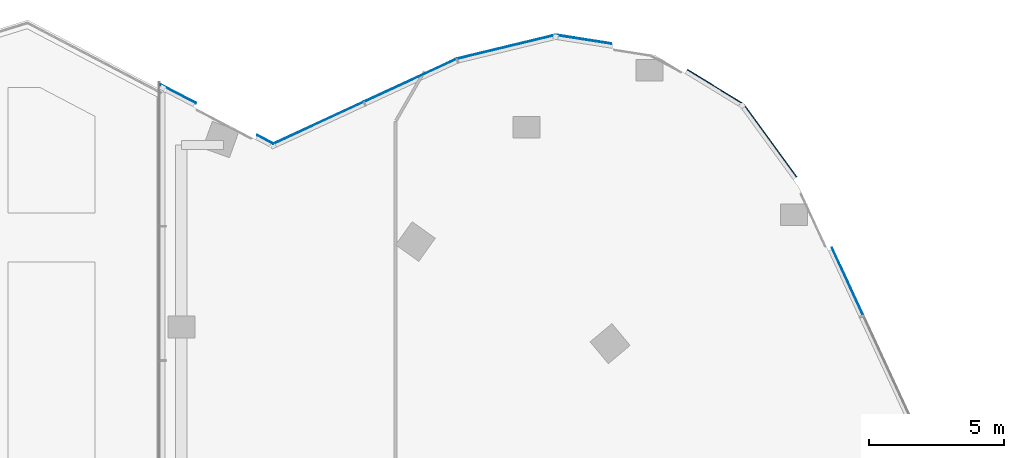
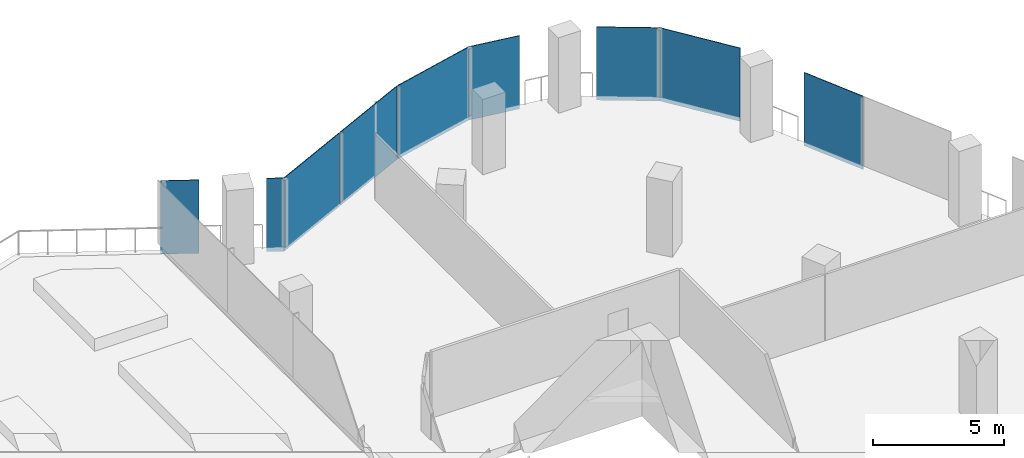
# One storey, part 18 of 26: 9 plates, 7 elements without a shape of their own.
"""IFC4 building model written with IfcOpenShell, lengths in metres."""

from ifc_helpers import new_model, si_unit, direction, frame, origin, origin_2d, place, context, subcontext, project, spatial, rectangle, extrude, material, layer, layer_set, type_object, element, aggregate, save


model = new_model("IFC4")

# Units and contexts
model_context = context("Model", 3, precision=1e-05, world=origin(), true_north=direction((0.0, 1.0)))
body_context = subcontext(model_context, "Body", "Model", "MODEL_VIEW")
ifc_project = project(units=[si_unit("LENGTHUNIT", "METRE"), si_unit("AREAUNIT", "SQUARE_METRE"), si_unit("VOLUMEUNIT", "CUBIC_METRE"), si_unit("PLANEANGLEUNIT", "RADIAN"), si_unit("MASSUNIT", "GRAM", prefix="KILO")], contexts=[model_context])

# Site, building, storey
site_placement = place(None, origin())
site = spatial("IfcSite", under=ifc_project, at=site_placement, CompositionType="ELEMENT")
building_placement = place(site_placement, origin())
building = spatial("IfcBuilding", under=site, at=building_placement, Name="Orlundy Tower", CompositionType="ELEMENT")
storey_placement = place(building_placement, frame((0.0, 0.0, 253.5)))
storey = spatial("IfcBuildingStorey", under=building, at=storey_placement, Name="L67", CompositionType="ELEMENT", Elevation=253.5)

# Curtain wall, plates
ifc_material_1 = material(Name="Aluminium bronze anodised", Category="aluminium")
curtain_wall_type = type_object("IfcCurtainWallType", Name="CW1 wall", PredefinedType="NOTDEFINED", material=ifc_material_1)
curtain_wall_1_placement = place(storey_placement, origin())
curtain_wall_1 = element("IfcCurtainWall", 1, at=curtain_wall_1_placement, inside=storey, type_object=curtain_wall_type, Name="CW1 run 10", PredefinedType="NOTDEFINED")
ifc_material_2 = material(Name="Tinted glass", Category="glass")
ifc_layer = layer(ifc_material_2, 0.031982421875)
ifc_layer_set = layer_set([ifc_layer], Name="CW1 glass panel 32")
plate_type = type_object("IfcPlateType", Name="CW1 glass panel 32", PredefinedType="CURTAIN_PANEL", material=ifc_layer_set)
plate_1_placement = place(storey_placement, frame((13.65625, 28.538330078125, -0.300048828125), z_axis=(0.0, 0.0, 1.0), x_axis=(0.907535327513, 0.419975748486, 0.0)))
plate_1 = element("IfcPlate", 2, at=plate_1_placement, type_object=plate_type, Name="CW1 panel", PredefinedType="CURTAIN_PANEL", context=body_context, shape_type="SweptSolid", body=[
    extrude(rectangle(XDim=3.659912109375, YDim=0.031982421875, at=origin_2d()), origin(), (0.0, 0.0, 1.0), 3.39990234375),
])
plate_2_placement = place(storey_placement, frame((17.0556640625, 30.111328125, -0.300048828125), z_axis=(0.0, 0.0, 1.0), x_axis=(0.907535327513, 0.419975748486, 0.0)))
plate_2 = element("IfcPlate", 3, at=plate_2_placement, type_object=plate_type, Name="CW1 panel", PredefinedType="CURTAIN_PANEL", context=body_context, shape_type="SweptSolid", body=[
    extrude(rectangle(XDim=3.731689453125, YDim=0.031982421875, at=origin_2d()), origin(), (0.0, 0.0, 1.0), 3.39990234375),
])
aggregate(curtain_wall_1, [plate_1, plate_2])

# Curtain wall, plate
curtain_wall_2_placement = place(storey_placement, origin())
curtain_wall_2 = element("IfcCurtainWall", 4, at=curtain_wall_2_placement, inside=storey, type_object=curtain_wall_type, Name="CW1 run 11", PredefinedType="NOTDEFINED")
plate_3_placement = place(storey_placement, frame((20.609130859375, 31.349853515625, -0.300048828125), z_axis=(0.0, 0.0, 1.0), x_axis=(0.972001521614, 0.234974556025, 0.0)))
plate_3 = element("IfcPlate", 5, at=plate_3_placement, type_object=plate_type, Name="CW1 panel", PredefinedType="CURTAIN_PANEL", context=body_context, shape_type="SweptSolid", body=[
    extrude(rectangle(XDim=3.73046875, YDim=0.031982421875, at=origin_2d()), origin(), (0.0, 0.0, 1.0), 3.39990234375),
])
aggregate(curtain_wall_2, [plate_3])

curtain_wall_3_placement = place(storey_placement, origin())
curtain_wall_3 = element("IfcCurtainWall", 6, at=curtain_wall_3_placement, inside=storey, type_object=curtain_wall_type, Name="CW1 run 12", PredefinedType="NOTDEFINED")
plate_4_placement = place(storey_placement, frame((23.449462890625, 31.626708984375, -0.300048828125), z_axis=(0.0, 0.0, 1.0), x_axis=(0.987896030416, -0.15511748157, 0.0)))
plate_4 = element("IfcPlate", 7, at=plate_4_placement, type_object=plate_type, Name="CW1 panel", PredefinedType="CURTAIN_PANEL", context=body_context, shape_type="SweptSolid", body=[
    extrude(rectangle(XDim=2.07958984375, YDim=0.031982421875, at=origin_2d()), origin(), (0.0, 0.0, 1.0), 3.39990234375),
])
aggregate(curtain_wall_3, [plate_4])

curtain_wall_4_placement = place(storey_placement, origin())
curtain_wall_4 = element("IfcCurtainWall", 8, at=curtain_wall_4_placement, inside=storey, type_object=curtain_wall_type, Name="CW1 run 13", PredefinedType="NOTDEFINED")
plate_5_placement = place(storey_placement, frame((28.330810546875, 29.870361328125, -0.300048828125), z_axis=(0.0, 0.0, 1.0), x_axis=(0.853468477843, -0.521144468768, 0.0)))
plate_5 = element("IfcPlate", 9, at=plate_5_placement, type_object=plate_type, Name="CW1 panel", PredefinedType="CURTAIN_PANEL", context=body_context, shape_type="SweptSolid", body=[
    extrude(rectangle(XDim=2.43115234375, YDim=0.031982421875, at=origin_2d()), origin(), (0.0, 0.0, 1.0), 3.39990234375),
])
aggregate(curtain_wall_4, [plate_5])

curtain_wall_5_placement = place(storey_placement, origin())
curtain_wall_5 = element("IfcCurtainWall", 10, at=curtain_wall_5_placement, inside=storey, type_object=curtain_wall_type, Name="CW1 run 14", PredefinedType="NOTDEFINED")
plate_6_placement = place(storey_placement, frame((30.34912109375, 27.890625, -0.300048828125), z_axis=(0.0, 0.0, 1.0), x_axis=(0.588893262489, -0.80821081742, 0.0)))
plate_6 = element("IfcPlate", 11, at=plate_6_placement, type_object=plate_type, Name="CW1 panel", PredefinedType="CURTAIN_PANEL", context=body_context, shape_type="SweptSolid", body=[
    extrude(rectangle(XDim=3.331298828125, YDim=0.031982421875, at=origin_2d()), origin(), (0.0, 0.0, 1.0), 3.39990234375),
])
aggregate(curtain_wall_5, [plate_6])

curtain_wall_6_placement = place(storey_placement, origin())
curtain_wall_6 = element("IfcCurtainWall", 12, at=curtain_wall_6_placement, inside=storey, type_object=curtain_wall_type, Name="CW1 run 15", PredefinedType="NOTDEFINED")
plate_7_placement = place(storey_placement, frame((33.207275390625, 22.68505859375, -0.300048828125), z_axis=(0.0, 0.0, 1.0), x_axis=(0.419960892154, -0.907542202358, 0.0)))
plate_7 = element("IfcPlate", 13, at=plate_7_placement, type_object=plate_type, Name="CW1 panel", PredefinedType="CURTAIN_PANEL", context=body_context, shape_type="SweptSolid", body=[
    extrude(rectangle(XDim=2.732666015625, YDim=0.031982421875, at=origin_2d()), origin(), (0.0, 0.0, 1.0), 3.39990234375),
])
aggregate(curtain_wall_6, [plate_7])

# Curtain wall, plates
curtain_wall_7_placement = place(storey_placement, origin())
curtain_wall_7 = element("IfcCurtainWall", 14, at=curtain_wall_7_placement, inside=storey, type_object=curtain_wall_type, Name="CW1 run 119", PredefinedType="NOTDEFINED")
plate_8_placement = place(storey_placement, frame((8.48583984375, 29.609375, -0.300048828125), z_axis=(0.0, 0.0, 1.0), x_axis=(0.885696843305, -0.464264043147, 0.0)))
plate_8 = element("IfcPlate", 15, at=plate_8_placement, type_object=plate_type, Name="CW1 panel", PredefinedType="CURTAIN_PANEL", context=body_context, shape_type="SweptSolid", body=[
    extrude(rectangle(XDim=1.467529296875, YDim=0.031982421875, at=origin_2d()), origin(), (0.0, 0.0, 1.0), 3.39990234375),
])
plate_9_placement = place(storey_placement, frame((11.69873046875, 27.92529296875, -0.300048828125), z_axis=(0.0, 0.0, 1.0), x_axis=(0.885696843305, -0.464264043147, 0.0)))
plate_9 = element("IfcPlate", 16, at=plate_9_placement, type_object=plate_type, Name="CW1 panel", PredefinedType="CURTAIN_PANEL", context=body_context, shape_type="SweptSolid", body=[
    extrude(rectangle(XDim=0.67041015625, YDim=0.031982421875, at=origin_2d()), origin(), (0.0, 0.0, 1.0), 3.39990234375),
])
aggregate(curtain_wall_7, [plate_8, plate_9])

save(model, "model.ifc")
